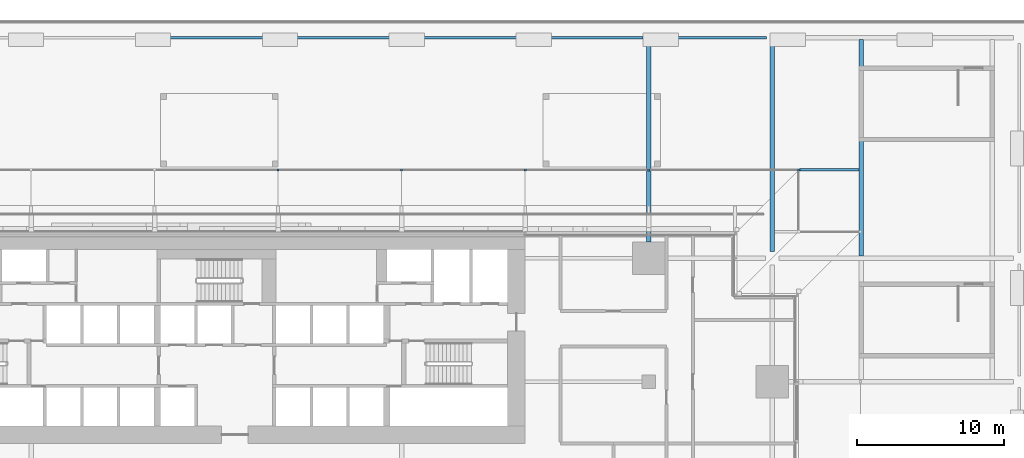
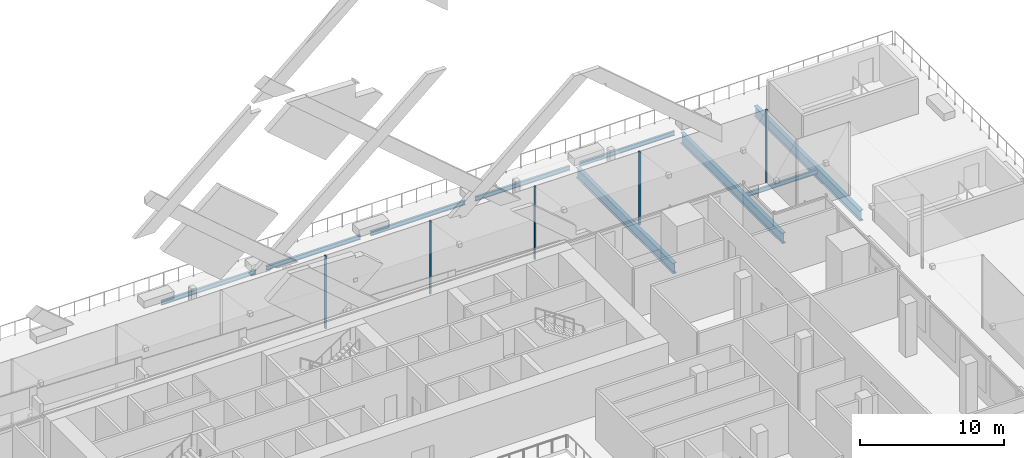
# One storey, part 17 of 60: 9 beams, 5 members.
"""IFC4 building model written with IfcOpenShell, lengths in metres."""

from ifc_helpers import new_model, si_unit, direction, frame, origin, origin_2d, place, context, subcontext, project, spatial, rectangle, i_section, extrude, material, material_profile, profile_set, type_object, element, save


model = new_model("IFC4")

# Units and contexts
model_context = context("Model", 3, precision=1e-05, world=origin(), true_north=direction((0.0, 1.0)))
body_context = subcontext(model_context, "Body", "Model", "MODEL_VIEW")
ifc_project = project(units=[si_unit("LENGTHUNIT", "METRE"), si_unit("AREAUNIT", "SQUARE_METRE"), si_unit("VOLUMEUNIT", "CUBIC_METRE"), si_unit("PLANEANGLEUNIT", "RADIAN"), si_unit("MASSUNIT", "GRAM", prefix="KILO")], contexts=[model_context])

# Site, building, storey
site_placement = place(None, origin())
site = spatial("IfcSite", under=ifc_project, at=site_placement, CompositionType="ELEMENT")
building_placement = place(site_placement, origin())
building = spatial("IfcBuilding", under=site, at=building_placement, Name="Saffron Gate Tower", CompositionType="ELEMENT")
storey_placement = place(building_placement, frame((0.0, 0.0, 19.199951171875)))
storey = spatial("IfcBuildingStorey", under=building, at=storey_placement, Name="L03", CompositionType="ELEMENT", Elevation=19.199951171875)

# Beams
ifc_material = material(Name="Structural steel S355", Category="steel")
ifc_material_profile_1 = material_profile(ifc_material, i_section(OverallWidth=0.169921875, OverallDepth=0.360107421875, WebThickness=0.008056640625, FlangeThickness=0.0126953125, FilletRadius=0.01806640625, at=origin_2d()))
ifc_profile_set_1 = profile_set([ifc_material_profile_1], Name="Structural steel S355")
beam_type_1 = type_object("IfcBeamType", Name="B1 IPE 360", PredefinedType="BEAM", material=ifc_profile_set_1)
beam_1_placement = place(storey_placement, frame((83.800048828125, 88.800048828125, -0.47998046875), z_axis=(1.0, 0.0, 0.0), x_axis=(0.0, 1.0, 0.0)))
element("IfcBeam", 1, at=beam_1_placement, inside=storey, type_object=beam_type_1, Name="B1 PODIUM EDGE BEAM", PredefinedType="BEAM", context=body_context, shape_type="SweptSolid", body=[
    extrude(i_section(OverallWidth=0.169921875, OverallDepth=0.360107421875, WebThickness=0.008056640625, FlangeThickness=0.0126953125, FilletRadius=0.01806640625, at=origin_2d()), origin(), (0.0, 0.0, 1.0), 7.599853515625),
])
beam_2_placement = place(storey_placement, frame((92.199951171875, 88.800048828125, -0.47998046875), z_axis=(1.0, 0.0, 0.0), x_axis=(0.0, 1.0, 0.0)))
element("IfcBeam", 2, at=beam_2_placement, inside=storey, type_object=beam_type_1, Name="B1 PODIUM EDGE BEAM", PredefinedType="BEAM", context=body_context, shape_type="SweptSolid", body=[
    extrude(i_section(OverallWidth=0.169921875, OverallDepth=0.360107421875, WebThickness=0.008056640625, FlangeThickness=0.0126953125, FilletRadius=0.01806640625, at=origin_2d()), origin(), (0.0, 0.0, 1.0), 7.60009765625),
])
beam_3_placement = place(storey_placement, frame((100.60009765625, 88.800048828125, -0.47998046875), z_axis=(1.0, 0.0, 0.0), x_axis=(0.0, 1.0, 0.0)))
element("IfcBeam", 3, at=beam_3_placement, inside=storey, type_object=beam_type_1, Name="B1 PODIUM EDGE BEAM", PredefinedType="BEAM", context=body_context, shape_type="SweptSolid", body=[
    extrude(i_section(OverallWidth=0.169921875, OverallDepth=0.360107421875, WebThickness=0.008056640625, FlangeThickness=0.0126953125, FilletRadius=0.01806640625, at=origin_2d()), origin(), (0.0, 0.0, 1.0), 7.599853515625),
])
for number, where, z_axis, x_axis, name in (
    (4, (109.0, 88.800048828125, -0.47998046875), (1.0, 0.0, 0.0), (0.0, 1.0, 0.0), "B1 PODIUM EDGE BEAM"),
    (5, (117.39990234375, 88.800048828125, -0.47998046875), (1.0, 0.0, 0.0), (0.0, 1.0, 0.0), "B1 PODIUM EDGE BEAM"),
):
    element("IfcBeam", number, at=place(storey_placement, frame(where, z_axis=z_axis, x_axis=x_axis)), inside=storey, type_object=beam_type_1, Name=name, PredefinedType="BEAM", context=body_context, shape_type="SweptSolid", body=[
        extrude(i_section(OverallWidth=0.169921875, OverallDepth=0.360107421875, WebThickness=0.008056640625, FlangeThickness=0.0126953125, FilletRadius=0.01806640625, at=origin_2d()), origin(), (0.0, 0.0, 1.0), 7.60009765625),
    ])
ifc_material_profile_2 = material_profile(ifc_material, i_section(OverallWidth=0.300048828125, OverallDepth=0.889892578125, WebThickness=0.01611328125, FlangeThickness=0.030029296875, FilletRadius=0.030029296875, at=origin_2d()))
ifc_profile_set_2 = profile_set([ifc_material_profile_2], Name="Structural steel S355")
beam_type_2 = type_object("IfcBeamType", Name="B19 HEA 900", PredefinedType="BEAM", material=ifc_profile_set_2)
beam_4_placement = place(storey_placement, frame((117.0, 88.39990234375, -0.744873046875), z_axis=(0.0, -1.0, 0.0), x_axis=(1.0, 0.0, 0.0)))
element("IfcBeam", 6, at=beam_4_placement, inside=storey, type_object=beam_type_2, Name="B19 PODIUM RING GIRDER", PredefinedType="BEAM", context=body_context, shape_type="SweptSolid", body=[
    extrude(i_section(OverallWidth=0.300048828125, OverallDepth=0.889892578125, WebThickness=0.01611328125, FlangeThickness=0.030029296875, FilletRadius=0.030029296875, at=origin_2d()), origin(), (0.0, 0.0, 1.0), 13.5),
])
beam_5_placement = place(storey_placement, frame((125.39990234375, 88.39990234375, -0.744873046875), z_axis=(0.0, -1.0, 0.0), x_axis=(1.0, 0.0, 0.0)))
element("IfcBeam", 7, at=beam_5_placement, inside=storey, type_object=beam_type_2, Name="B19 PODIUM RING GIRDER", PredefinedType="BEAM", context=body_context, shape_type="SweptSolid", body=[
    extrude(i_section(OverallWidth=0.300048828125, OverallDepth=0.889892578125, WebThickness=0.01611328125, FlangeThickness=0.030029296875, FilletRadius=0.030029296875, at=origin_2d()), origin(), (0.0, 0.0, 1.0), 14.14990234375),
])
ifc_material_profile_3 = material_profile(ifc_material, i_section(OverallWidth=0.300048828125, OverallDepth=0.89990234375, WebThickness=0.0185546875, FlangeThickness=0.034912109375, FilletRadius=0.030029296875, at=origin_2d()))
ifc_profile_set_3 = profile_set([ifc_material_profile_3], Name="Structural steel S355")
beam_type_3 = type_object("IfcBeamType", Name="B20 HEB 900", PredefinedType="BEAM", material=ifc_profile_set_3)
beam_6_placement = place(storey_placement, frame((131.449951171875, 73.93994140625, -0.75), z_axis=(0.0, 1.0, 0.0), x_axis=(-1.0, 0.0, 0.0)))
element("IfcBeam", 8, at=beam_6_placement, inside=storey, type_object=beam_type_3, Name="B20 STAIR ENCLOSURE HEADER BEAM", PredefinedType="BEAM", context=body_context, shape_type="SweptSolid", body=[
    extrude(i_section(OverallWidth=0.300048828125, OverallDepth=0.89990234375, WebThickness=0.0185546875, FlangeThickness=0.034912109375, FilletRadius=0.030029296875, at=origin_2d()), origin(), (0.0, 0.0, 1.0), 14.719970703125),
])

# Members
ifc_material_profile_4 = material_profile(ifc_material, rectangle(XDim=0.139892578125, YDim=0.139892578125, at=origin_2d()))
ifc_profile_set_4 = profile_set([ifc_material_profile_4], Name="Structural steel S355")
member_type = type_object("IfcMemberType", Name="HL1 hall post", PredefinedType="POST", material=ifc_profile_set_4)
for number, where, z_axis, x_axis, name in (
    (9, (91.800048828125, 79.800048828125, 0.0), (0.0, 0.0, 1.0), (1.0, 0.0, 0.0), "HALL POST"),
    (10, (100.199951171875, 79.800048828125, 0.0), (0.0, 0.0, 1.0), (1.0, 0.0, 0.0), "HALL POST"),
    (11, (108.60009765625, 79.800048828125, 0.0), (0.0, 0.0, 1.0), (1.0, 0.0, 0.0), "HALL POST"),
    (12, (117.0, 79.800048828125, 0.0), (0.0, 0.0, 1.0), (1.0, 0.0, 0.0), "HALL POST"),
    (13, (127.199951171875, 79.800048828125, 0.0), (0.0, 0.0, 1.0), (1.0, 0.0, 0.0), "HALL POST"),
):
    element("IfcMember", number, at=place(storey_placement, frame(where, z_axis=z_axis, x_axis=x_axis)), inside=storey, type_object=member_type, Name=name, PredefinedType="POST", context=body_context, shape_type="SweptSolid", body=[
        extrude(rectangle(XDim=0.139892578125, YDim=0.139892578125, at=origin_2d()), origin(), (0.0, 0.0, 1.0), 6.18994140625),
    ])

# Beam
ifc_material_profile_5 = material_profile(ifc_material, i_section(OverallWidth=0.169921875, OverallDepth=0.360107421875, WebThickness=0.008056640625, FlangeThickness=0.0126953125, FilletRadius=0.01806640625, at=origin_2d()))
ifc_profile_set_5 = profile_set([ifc_material_profile_5], Name="Structural steel S355")
beam_type_4 = type_object("IfcBeamType", Name="HL5 hall kerb beam", PredefinedType="BEAM", material=ifc_profile_set_5)
beam_7_placement = place(storey_placement, frame((125.550048828125, 79.800048828125, -0.47998046875), z_axis=(1.0, 0.0, 0.0), x_axis=(0.0, 1.0, 0.0)))
element("IfcBeam", 14, at=beam_7_placement, inside=storey, type_object=beam_type_4, Name="HALL KERB BEAM", PredefinedType="BEAM", context=body_context, shape_type="SweptSolid", body=[
    extrude(i_section(OverallWidth=0.169921875, OverallDepth=0.360107421875, WebThickness=0.008056640625, FlangeThickness=0.0126953125, FilletRadius=0.01806640625, at=origin_2d()), origin(), (0.0, 0.0, 1.0), 5.75),
])

save(model, "model.ifc")
